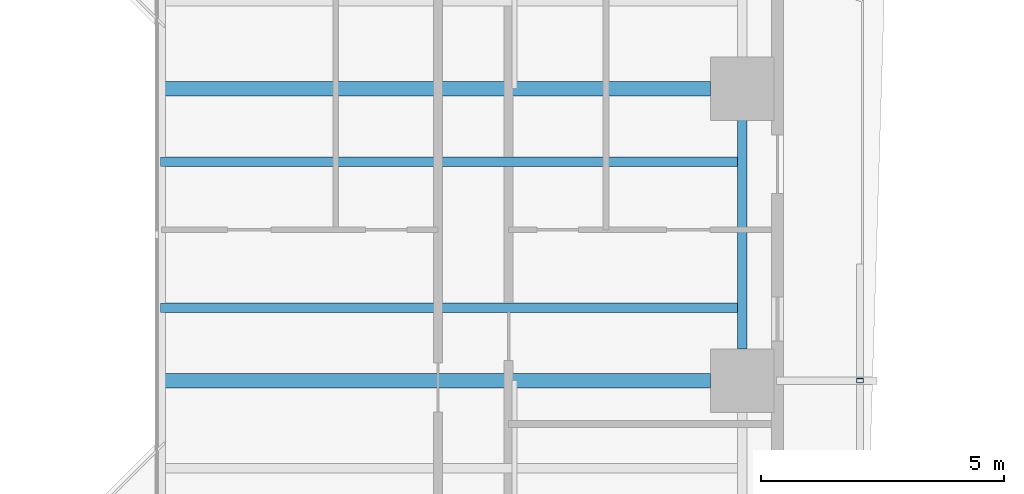
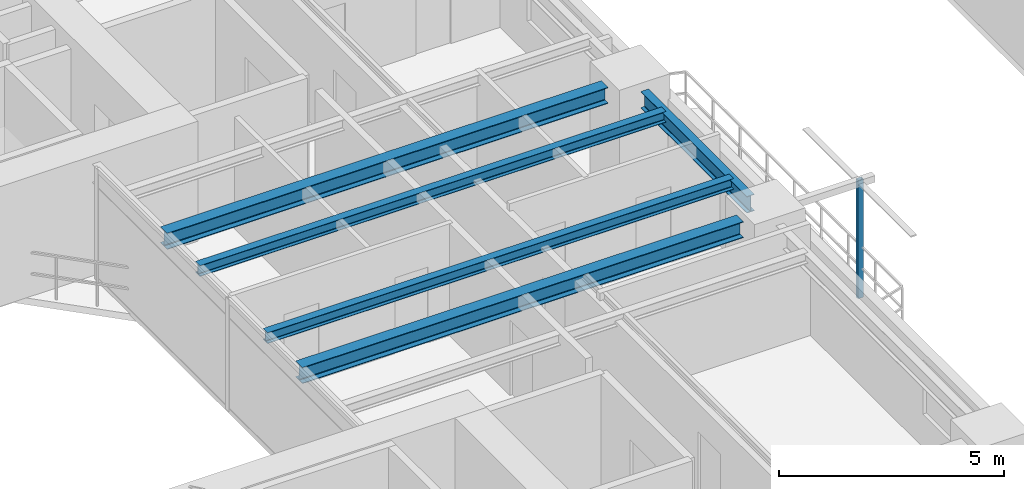
# One storey, part 7 of 24: 5 beams, 1 member.
"""IFC4 building model written with IfcOpenShell, lengths in metres."""

from ifc_helpers import new_model, si_unit, direction, frame, origin, origin_2d, place, context, subcontext, project, spatial, hollow_rectangle, i_section, extrude, source, transform, mapped, material, material_profile, profile_set, type_object, element, save


model = new_model("IFC4")

# Units and contexts
model_context = context("Model", 3, precision=1e-05, world=origin(), true_north=direction((0.0, 1.0)))
body_context = subcontext(model_context, "Body", "Model", "MODEL_VIEW")
ifc_project = project(units=[si_unit("LENGTHUNIT", "METRE"), si_unit("AREAUNIT", "SQUARE_METRE"), si_unit("VOLUMEUNIT", "CUBIC_METRE"), si_unit("PLANEANGLEUNIT", "RADIAN"), si_unit("MASSUNIT", "GRAM", prefix="KILO"), si_unit("THERMODYNAMICTEMPERATUREUNIT", "KELVIN"), si_unit("POWERUNIT", "WATT")], contexts=[model_context])

# Site, building, storey
site_placement = place(None, origin())
site = spatial("IfcSite", under=ifc_project, at=site_placement, CompositionType="ELEMENT")
building_placement = place(site_placement, origin())
building = spatial("IfcBuilding", under=site, at=building_placement, Name="Qiaomeng Ring Towers", CompositionType="ELEMENT")
storey_placement = place(building_placement, frame((0.0, 0.0, 42.5)))
storey = spatial("IfcBuildingStorey", under=building, at=storey_placement, Name="L11", CompositionType="ELEMENT", Elevation=42.5)

# Beams
ifc_material_1 = material(Name="Steel Q355B", Category="steel")
ifc_material_profile_1 = material_profile(ifc_material_1, i_section(OverallWidth=0.199951171875, OverallDepth=0.449951171875, WebThickness=0.009033203125, FlangeThickness=0.013916015625, FilletRadius=0.01806640625, at=origin_2d()), Name="HN 450x200x9x14")
ifc_profile_set_1 = profile_set([ifc_material_profile_1], Name="Steel Q355B")
beam_type_1 = type_object("IfcBeamType", Name="STR-BM-HN450", PredefinedType="SPANDREL", material=ifc_profile_set_1)
shared_shape_1 = source(origin(), body_context, "Body", "SweptSolid", [
    extrude(i_section(OverallWidth=0.199951171875, OverallDepth=0.449951171875, WebThickness=0.009033203125, FlangeThickness=0.013916015625, FilletRadius=0.01806640625, at=origin_2d()), origin(), (0.0, 0.0, 1.0), 4.7021484375),
])
beam_placement = place(storey_placement, frame((37.14990234375, 20.64892578125, 2.804931640625), z_axis=(0.0, 1.0, 0.0), x_axis=(-1.0, 0.0, 0.0)))
element("IfcBeam", 1, at=beam_placement, inside=storey, type_object=beam_type_1, Name="L11 beam STR-SP-L11-T1-E2-E3", PredefinedType="SPANDREL", context=body_context, shape_type="MappedRepresentation", body=[
    mapped(shared_shape_1, transform((0.0, 0.0, 0.0), x_axis=(1.0, 0.0, 0.0), y_axis=(0.0, 1.0, 0.0), z_axis=(0.0, 0.0, 1.0), scale=1.0)),
])
ifc_material_profile_2 = material_profile(ifc_material_1, i_section(OverallWidth=0.300048828125, OverallDepth=0.43994140625, WebThickness=0.010986328125, FlangeThickness=0.01806640625, FilletRadius=0.02392578125, at=origin_2d()), Name="HM 440x300x11x18")
ifc_profile_set_2 = profile_set([ifc_material_profile_2], Name="Steel Q355B")
beam_type_2 = type_object("IfcBeamType", Name="STR-BM-HM440", PredefinedType="BEAM", material=ifc_profile_set_2)
shared_shape_2 = source(origin(), body_context, "Body", "SweptSolid", [
    extrude(i_section(OverallWidth=0.300048828125, OverallDepth=0.43994140625, WebThickness=0.010986328125, FlangeThickness=0.01806640625, FilletRadius=0.02392578125, at=origin_2d()), origin(), (0.0, 0.0, 1.0), 11.301025390625),
])
for number, where, z_axis, x_axis, name in (
    (2, (25.199951171875, 20.0, 2.81005859375), (1.0, 0.0, 0.0), (0.0, 1.0, 0.0), "L11 beam STR-BM-L11-T1-RAD-E2"),
    (3, (25.199951171875, 26.0, 2.81005859375), (1.0, 0.0, 0.0), (0.0, 1.0, 0.0), "L11 beam STR-BM-L11-T1-RAD-E3"),
):
    element("IfcBeam", number, at=place(storey_placement, frame(where, z_axis=z_axis, x_axis=x_axis)), inside=storey, type_object=beam_type_2, Name=name, PredefinedType="BEAM", context=body_context, shape_type="MappedRepresentation", body=[
        mapped(shared_shape_2, transform((0.0, 0.0, 0.0), x_axis=(1.0, 0.0, 0.0), y_axis=(0.0, 1.0, 0.0), z_axis=(0.0, 0.0, 1.0), scale=1.0)),
    ])
ifc_material_profile_3 = material_profile(ifc_material_1, i_section(OverallWidth=0.199951171875, OverallDepth=0.2939453125, WebThickness=0.008056640625, FlangeThickness=0.011962890625, FilletRadius=0.01806640625, at=origin_2d()), Name="HM 294x200x8x12")
ifc_profile_set_3 = profile_set([ifc_material_profile_3], Name="Steel Q355B")
beam_type_3 = type_object("IfcBeamType", Name="STR-BM-HM294", PredefinedType="JOIST", material=ifc_profile_set_3)
shared_shape_3 = source(origin(), body_context, "Body", "SweptSolid", [
    extrude(i_section(OverallWidth=0.199951171875, OverallDepth=0.2939453125, WebThickness=0.008056640625, FlangeThickness=0.011962890625, FilletRadius=0.01806640625, at=origin_2d()), origin(), (0.0, 0.0, 1.0), 11.949951171875),
])
for number, where, z_axis, x_axis, name in (
    (4, (25.199951171875, 21.5, 2.883056640625), (1.0, 0.0, 0.0), (0.0, 1.0, 0.0), "L11 beam STR-JST-L11-T1E-2"),
    (5, (25.199951171875, 24.5, 2.883056640625), (1.0, 0.0, 0.0), (0.0, 1.0, 0.0), "L11 beam STR-JST-L11-T1E-3"),
):
    element("IfcBeam", number, at=place(storey_placement, frame(where, z_axis=z_axis, x_axis=x_axis)), inside=storey, type_object=beam_type_3, Name=name, PredefinedType="JOIST", context=body_context, shape_type="MappedRepresentation", body=[
        mapped(shared_shape_3, transform((0.0, 0.0, 0.0), x_axis=(1.0, 0.0, 0.0), y_axis=(0.0, 1.0, 0.0), z_axis=(0.0, 0.0, 1.0), scale=1.0)),
    ])

# Member
ifc_material_2 = material(Name="Stainless steel 316", Category="steel")
ifc_material_profile_4 = material_profile(ifc_material_2, hollow_rectangle(XDim=0.090087890625, YDim=0.139892578125, WallThickness=0.0048828125, at=origin_2d()), Name="SS TRELLIS 90x140")
ifc_profile_set_4 = profile_set([ifc_material_profile_4], Name="Stainless steel 316")
member_type = type_object("IfcMemberType", Name="ARC-TR-POST1", PredefinedType="STUD", material=ifc_profile_set_4)
shared_shape_4 = source(origin(), body_context, "Body", "SweptSolid", [
    extrude(hollow_rectangle(XDim=0.090087890625, YDim=0.139892578125, WallThickness=0.0048828125, at=origin_2d()), origin(), (0.0, 0.0, 1.0), 3.2099609375),
])
member_placement = place(storey_placement, frame((39.570068359375, 20.0, -0.179931640625), z_axis=(0.0, 0.0, 1.0), x_axis=(0.0, 1.0, 0.0)))
element("IfcMember", 6, at=member_placement, inside=storey, type_object=member_type, Name="L11 Outer Ventilated Trellis Post E", PredefinedType="STUD", context=body_context, shape_type="MappedRepresentation", body=[
    mapped(shared_shape_4, transform((0.0, 0.0, 0.0), x_axis=(1.0, 0.0, 0.0), y_axis=(0.0, 1.0, 0.0), z_axis=(0.0, 0.0, 1.0), scale=1.0)),
])

save(model, "model.ifc")
